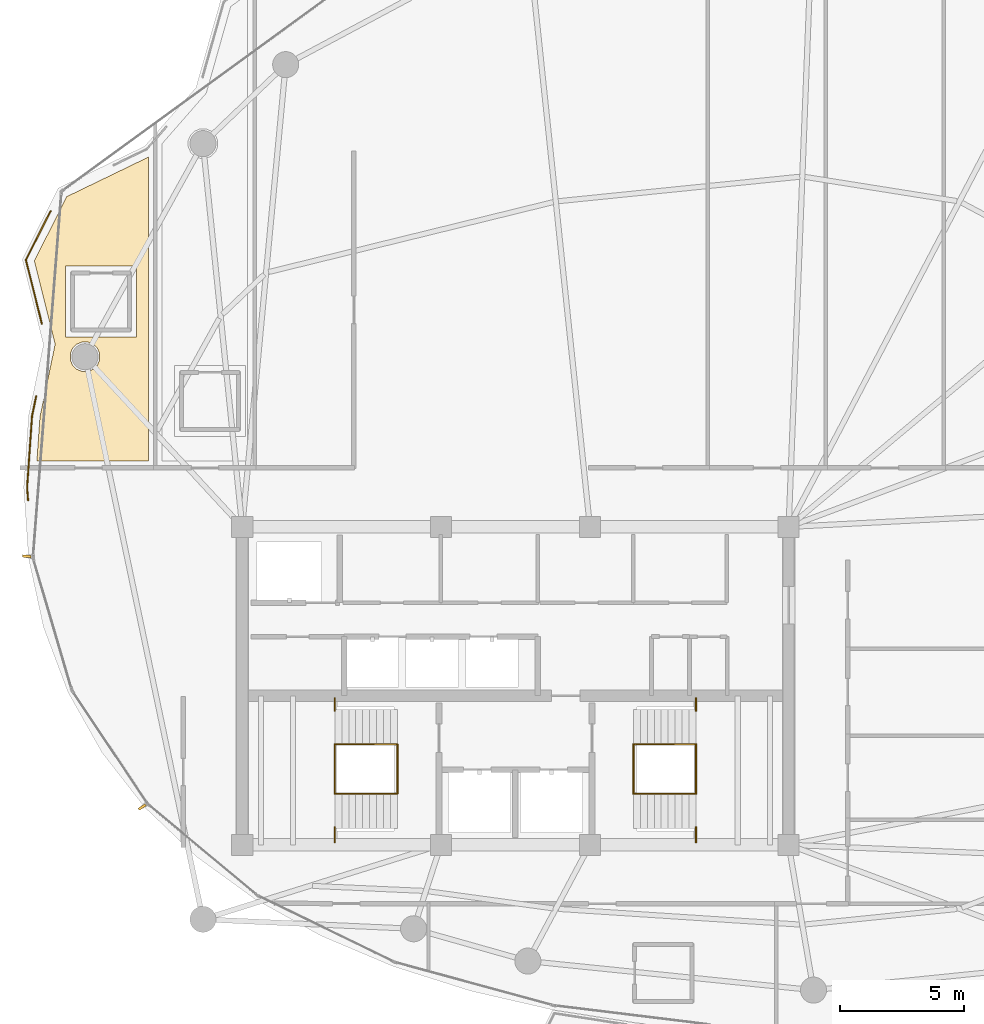
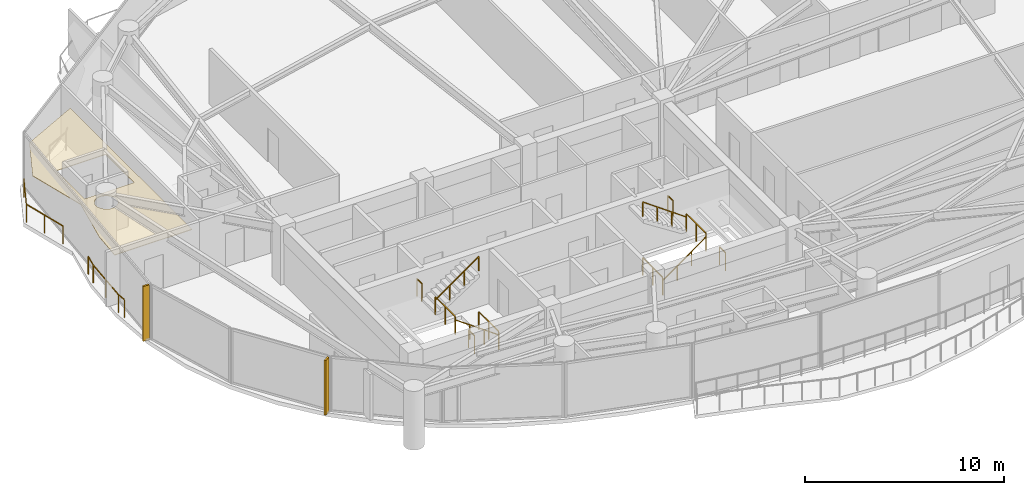
# One storey, part 29 of 31: 14 railings, 2 shading devices, 1 covering.
"""IFC4 building model written with IfcOpenShell, lengths in metres."""

from ifc_helpers import new_model, si_unit, direction, frame, origin, origin_2d, place, context, subcontext, project, spatial, polyline, rectangle, outline, extrude, material, layer, layer_set, type_object, element, save


model = new_model("IFC4")

# Units and contexts
model_context = context("Model", 3, precision=1e-05, world=origin(), true_north=direction((0.0, 1.0)))
body_context = subcontext(model_context, "Body", "Model", "MODEL_VIEW")
ifc_project = project(units=[si_unit("LENGTHUNIT", "METRE"), si_unit("AREAUNIT", "SQUARE_METRE"), si_unit("VOLUMEUNIT", "CUBIC_METRE"), si_unit("PLANEANGLEUNIT", "RADIAN"), si_unit("MASSUNIT", "GRAM", prefix="KILO")], contexts=[model_context])

# Site, building, storey
site_placement = place(None, origin())
site = spatial("IfcSite", under=ifc_project, at=site_placement, CompositionType="ELEMENT")
building_placement = place(site_placement, origin())
building = spatial("IfcBuilding", under=site, at=building_placement, Name="Kazevale Care Tower and Concert Hall", CompositionType="ELEMENT")
storey_placement = place(building_placement, frame((0.0, 0.0, 206.39990234375)))
storey = spatial("IfcBuildingStorey", under=building, at=storey_placement, Name="L54", CompositionType="ELEMENT", Elevation=206.39990234375)

# Covering
ifc_material_1 = material(Name="Acoustic Plaster and Hinoki Wood", Category="wood")
ifc_layer = layer(ifc_material_1, 0.0400390625)
ifc_layer_set = layer_set([ifc_layer], Name="Acoustic Plaster and Hinoki Wood")
covering_type = type_object("IfcCoveringType", Name="Acoustic Perforated Wood-Gypsum Ceiling", PredefinedType="CEILING", material=ifc_layer_set)
covering_placement = place(storey_placement, frame((0.0, 0.0, 2.710205078125)))
element("IfcCovering", 1, at=covering_placement, inside=storey, type_object=covering_type, Name="clg:L54:1", PredefinedType="CEILING", context=body_context, shape_type="SweptSolid", body=[
    extrude(outline(polyline([(13.632080078125, 47.111083984375), (14.93310546875, 49.694091796875), (18.219970703125, 51.285888671875), (18.219970703125, 39.054931640625), (13.73388671875, 39.054931640625), (13.85693359375, 40.824951171875), (14.468994140625, 43.75), (13.632080078125, 47.111083984375)]), holes=[polyline([(14.887939453125, 46.905029296875), (14.887939453125, 44.044921875), (17.748046875, 44.044921875), (17.748046875, 46.905029296875), (14.887939453125, 46.905029296875)]), polyline([(16.262939453125, 43.367919921875), (16.173095703125, 43.5859375), (16.006103515625, 43.7529296875), (15.7880859375, 43.843017578125), (15.552001953125, 43.843017578125), (15.333984375, 43.7529296875), (15.1669921875, 43.5859375), (15.076904296875, 43.367919921875), (15.076904296875, 43.132080078125), (15.1669921875, 42.9140625), (15.333984375, 42.7470703125), (15.552001953125, 42.656982421875), (15.7880859375, 42.656982421875), (16.006103515625, 42.7470703125), (16.173095703125, 42.9140625), (16.262939453125, 43.132080078125), (16.262939453125, 43.367919921875)])]), origin(), (0.0, 0.0, 1.0), 0.039794921875),
])

# Railings
ifc_material_2 = material(Name="Anodised Bronze Aluminium and Laminated Glass", Category="aluminium")
railing_type_1 = type_object("IfcRailingType", Name="Balcony and Terrace Balustrade 1120", PredefinedType="BALUSTRADE", material=ifc_material_2)
railing_1_placement = place(storey_placement, frame((13.3779296875, 37.467041015625, 0.0)))
element("IfcRailing", 2, at=railing_1_placement, inside=storey, type_object=railing_type_1, Name="rail:L54:perim:1", PredefinedType="BALUSTRADE", context=body_context, shape_type="SweptSolid", body=[
    extrude(rectangle(XDim=0.048095703125, YDim=0.048095703125, at=origin_2d()), frame((0.0, 0.0, 1.09619140625), z_axis=(-0.070824900757, 0.997488763562, 0.0), x_axis=(-0.997488763562, -0.070824900757, 0.0)), (0.0, 0.0, 1.0), 0.5341796875),
    extrude(rectangle(XDim=0.048095703125, YDim=0.048095703125, at=origin_2d()), frame((-0.037841796875, 0.532958984375, 1.09619140625), z_axis=(0.069189590327, 0.997603528758, 0.0), x_axis=(-0.997603528758, 0.069189590327, 0.0)), (0.0, 0.0, 1.0), 2.875732421875),
    extrude(rectangle(XDim=0.048095703125, YDim=0.048095703125, at=origin_2d()), frame((0.1611328125, 3.40185546875, 1.09619140625), z_axis=(0.204489697566, 0.978868716218, 0.0), x_axis=(-0.978868716218, 0.204489697566, 0.0)), (0.0, 0.0, 1.0), 0.801025390625),
    extrude(rectangle(XDim=0.0419921875, YDim=0.0419921875, at=origin_2d()), origin(), (0.0, 0.0, 1.0), 1.072021484375),
    extrude(rectangle(XDim=0.0419921875, YDim=0.0419921875, at=origin_2d()), frame((-0.037841796875, 0.532958984375, 0.0)), (0.0, 0.0, 1.0), 1.072021484375),
    extrude(rectangle(XDim=0.0419921875, YDim=0.0419921875, at=origin_2d()), frame((0.0615234375, 1.96728515625, 0.0)), (0.0, 0.0, 1.0), 1.072021484375),
    extrude(rectangle(XDim=0.0419921875, YDim=0.0419921875, at=origin_2d()), frame((0.1611328125, 3.40185546875, 0.0)), (0.0, 0.0, 1.0), 1.072021484375),
    extrude(rectangle(XDim=0.0419921875, YDim=0.0419921875, at=origin_2d()), frame((0.324951171875, 4.18603515625, 0.0)), (0.0, 0.0, 1.0), 1.072021484375),
])
railing_2_placement = place(storey_placement, frame((13.930908203125, 44.5849609375, 0.0)))
element("IfcRailing", 3, at=railing_2_placement, inside=storey, type_object=railing_type_1, Name="rail:L54:perim:2", PredefinedType="BALUSTRADE", context=body_context, shape_type="SweptSolid", body=[
    extrude(rectangle(XDim=0.048095703125, YDim=0.048095703125, at=origin_2d()), frame((0.0, 0.0, 1.09619140625), z_axis=(-0.241796398664, 0.970327007556, 0.0), x_axis=(-0.970327007556, -0.241796398664, 0.0)), (0.0, 0.0, 1.0), 2.642333984375),
    extrude(rectangle(XDim=0.048095703125, YDim=0.048095703125, at=origin_2d()), frame((-0.638916015625, 2.56396484375, 1.09619140625), z_axis=(0.450269666924, 0.892892617871, 0.0), x_axis=(-0.892892617871, 0.450269666924, 0.0)), (0.0, 0.0, 1.0), 2.202880859375),
    extrude(rectangle(XDim=0.0419921875, YDim=0.0419921875, at=origin_2d()), origin(), (0.0, 0.0, 1.0), 1.072021484375),
    extrude(rectangle(XDim=0.0419921875, YDim=0.0419921875, at=origin_2d()), frame((-0.3193359375, 1.281982421875, 0.0)), (0.0, 0.0, 1.0), 1.072021484375),
    extrude(rectangle(XDim=0.0419921875, YDim=0.0419921875, at=origin_2d()), frame((-0.638916015625, 2.56396484375, 0.0)), (0.0, 0.0, 1.0), 1.072021484375),
    extrude(rectangle(XDim=0.0419921875, YDim=0.0419921875, at=origin_2d()), frame((0.35302734375, 4.531005859375, 0.0)), (0.0, 0.0, 1.0), 1.072021484375),
])
ifc_material_3 = material(Name="Stainless Steel 316", Category="steel")
railing_type_2 = type_object("IfcRailingType", Name="Stair Pitch Handrail 920", PredefinedType="HANDRAIL", material=ifc_material_3)
railing_3_placement = place(storey_placement, frame((28.25, 25.64990234375, 0.0)))
element("IfcRailing", 4, at=railing_3_placement, inside=storey, type_object=railing_type_2, Name="stair:L54:ST1:hr1", PredefinedType="HANDRAIL", context=body_context, shape_type="SweptSolid", body=[
    extrude(rectangle(XDim=0.048095703125, YDim=0.048095703125, at=origin_2d()), frame((0.0, 0.0, 0.89599609375), z_axis=(-0.813728144527, 0.0, 0.581245650998), x_axis=(0.0, -1.0, 0.0)), (0.0, 0.0, 1.0), 3.096923828125),
    extrude(rectangle(XDim=0.0419921875, YDim=0.0419921875, at=origin_2d()), origin(), (0.0, 0.0, 1.0), 0.871826171875),
    extrude(rectangle(XDim=0.0419921875, YDim=0.0419921875, at=origin_2d()), frame((-0.840087890625, 0.0, 0.60009765625)), (0.0, 0.0, 1.0), 0.871826171875),
    extrude(rectangle(XDim=0.0419921875, YDim=0.0419921875, at=origin_2d()), frame((-1.679931640625, 0.0, 1.199951171875)), (0.0, 0.0, 1.0), 0.871826171875),
    extrude(rectangle(XDim=0.0419921875, YDim=0.0419921875, at=origin_2d()), frame((-2.52001953125, 0.0, 1.800048828125)), (0.0, 0.0, 1.0), 0.871826171875),
])
for number, where, name in (
    (5, (25.72998046875, 27.64990234375, 1.800048828125), "stair:L54:ST1:hr2"),
    (6, (37.75, 25.64990234375, 0.0), "stair:L54:ST2:hr1"),
):
    element("IfcRailing", number, at=place(storey_placement, frame(where)), inside=storey, type_object=railing_type_2, Name=name, PredefinedType="HANDRAIL", context=body_context, shape_type="SweptSolid", body=[
        extrude(rectangle(XDim=0.048095703125, YDim=0.048095703125, at=origin_2d()), frame((0.0, 0.0, 0.89599609375), z_axis=(0.813728144527, 0.0, 0.581245650998), x_axis=(0.0, 1.0, 0.0)), (0.0, 0.0, 1.0), 3.096923828125),
        extrude(rectangle(XDim=0.0419921875, YDim=0.0419921875, at=origin_2d()), origin(), (0.0, 0.0, 1.0), 0.871826171875),
        extrude(rectangle(XDim=0.0419921875, YDim=0.0419921875, at=origin_2d()), frame((0.840087890625, 0.0, 0.60009765625)), (0.0, 0.0, 1.0), 0.871826171875),
        extrude(rectangle(XDim=0.0419921875, YDim=0.0419921875, at=origin_2d()), frame((1.679931640625, 0.0, 1.199951171875)), (0.0, 0.0, 1.0), 0.871826171875),
        extrude(rectangle(XDim=0.0419921875, YDim=0.0419921875, at=origin_2d()), frame((2.52001953125, 0.0, 1.800048828125)), (0.0, 0.0, 1.0), 0.871826171875),
    ])
railing_4_placement = place(storey_placement, frame((40.27001953125, 27.64990234375, 1.800048828125)))
element("IfcRailing", 7, at=railing_4_placement, inside=storey, type_object=railing_type_2, Name="stair:L54:ST2:hr2", PredefinedType="HANDRAIL", context=body_context, shape_type="SweptSolid", body=[
    extrude(rectangle(XDim=0.048095703125, YDim=0.048095703125, at=origin_2d()), frame((0.0, 0.0, 0.89599609375), z_axis=(-0.813728144527, 0.0, 0.581245650998), x_axis=(0.0, -1.0, 0.0)), (0.0, 0.0, 1.0), 3.096923828125),
    extrude(rectangle(XDim=0.0419921875, YDim=0.0419921875, at=origin_2d()), origin(), (0.0, 0.0, 1.0), 0.871826171875),
    extrude(rectangle(XDim=0.0419921875, YDim=0.0419921875, at=origin_2d()), frame((-0.840087890625, 0.0, 0.60009765625)), (0.0, 0.0, 1.0), 0.871826171875),
    extrude(rectangle(XDim=0.0419921875, YDim=0.0419921875, at=origin_2d()), frame((-1.679931640625, 0.0, 1.199951171875)), (0.0, 0.0, 1.0), 0.871826171875),
    extrude(rectangle(XDim=0.0419921875, YDim=0.0419921875, at=origin_2d()), frame((-2.52001953125, 0.0, 1.800048828125)), (0.0, 0.0, 1.0), 0.871826171875),
])
railing_type_3 = type_object("IfcRailingType", Name="Stair Well Guard Balustrade 1120", PredefinedType="BALUSTRADE", material=ifc_material_3)
railing_5_placement = place(storey_placement, frame((25.72998046875, 23.699951171875, 1.800048828125)))
element("IfcRailing", 8, at=railing_5_placement, inside=storey, type_object=railing_type_3, Name="stair:L54:ST1:grd_side1", PredefinedType="BALUSTRADE", context=body_context, shape_type="SweptSolid", body=[
    extrude(rectangle(XDim=0.048095703125, YDim=0.048095703125, at=origin_2d()), frame((0.0, 0.0, 1.09619140625), z_axis=(0.0, 1.0, 0.0), x_axis=(-1.0, 0.0, 0.0)), (0.0, 0.0, 1.0), 0.610107421875),
    extrude(rectangle(XDim=0.0419921875, YDim=0.0419921875, at=origin_2d()), origin(), (0.0, 0.0, 1.0), 1.072021484375),
    extrude(rectangle(XDim=0.0419921875, YDim=0.0419921875, at=origin_2d()), frame((0.0, 0.610107421875, 0.0)), (0.0, 0.0, 1.0), 1.072021484375),
])
railing_6_placement = place(storey_placement, frame((25.72998046875, 28.989990234375, 1.800048828125)))
element("IfcRailing", 9, at=railing_6_placement, inside=storey, type_object=railing_type_3, Name="stair:L54:ST1:grd_side2", PredefinedType="BALUSTRADE", context=body_context, shape_type="SweptSolid", body=[
    extrude(rectangle(XDim=0.048095703125, YDim=0.048095703125, at=origin_2d()), frame((0.0, 0.0, 1.09619140625), z_axis=(0.0, 1.0, 0.0), x_axis=(-1.0, 0.0, 0.0)), (0.0, 0.0, 1.0), 0.510009765625),
    extrude(rectangle(XDim=0.0419921875, YDim=0.0419921875, at=origin_2d()), origin(), (0.0, 0.0, 1.0), 1.072021484375),
    extrude(rectangle(XDim=0.0419921875, YDim=0.0419921875, at=origin_2d()), frame((0.0, 0.510009765625, 0.0)), (0.0, 0.0, 1.0), 1.072021484375),
])
for number, where, name in (
    (10, (25.72998046875, 25.64990234375, 1.800048828125), "stair:L54:ST1:grd_mid"),
    (11, (28.25, 25.64990234375, 0.0), "stair:L54:ST1:grd_flr"),
):
    element("IfcRailing", number, at=place(storey_placement, frame(where)), inside=storey, type_object=railing_type_3, Name=name, PredefinedType="BALUSTRADE", context=body_context, shape_type="SweptSolid", body=[
        extrude(rectangle(XDim=0.048095703125, YDim=0.048095703125, at=origin_2d()), frame((0.0, 0.0, 1.09619140625), z_axis=(0.0, 1.0, 0.0), x_axis=(-1.0, 0.0, 0.0)), (0.0, 0.0, 1.0), 2.0),
        extrude(rectangle(XDim=0.0419921875, YDim=0.0419921875, at=origin_2d()), origin(), (0.0, 0.0, 1.0), 1.072021484375),
        extrude(rectangle(XDim=0.0419921875, YDim=0.0419921875, at=origin_2d()), frame((0.0, 1.0, 0.0)), (0.0, 0.0, 1.0), 1.072021484375),
        extrude(rectangle(XDim=0.0419921875, YDim=0.0419921875, at=origin_2d()), frame((0.0, 2.0, 0.0)), (0.0, 0.0, 1.0), 1.072021484375),
    ])
railing_7_placement = place(storey_placement, frame((40.27001953125, 23.699951171875, 1.800048828125)))
element("IfcRailing", 12, at=railing_7_placement, inside=storey, type_object=railing_type_3, Name="stair:L54:ST2:grd_side1", PredefinedType="BALUSTRADE", context=body_context, shape_type="SweptSolid", body=[
    extrude(rectangle(XDim=0.048095703125, YDim=0.048095703125, at=origin_2d()), frame((0.0, 0.0, 1.09619140625), z_axis=(0.0, 1.0, 0.0), x_axis=(-1.0, 0.0, 0.0)), (0.0, 0.0, 1.0), 0.610107421875),
    extrude(rectangle(XDim=0.0419921875, YDim=0.0419921875, at=origin_2d()), origin(), (0.0, 0.0, 1.0), 1.072021484375),
    extrude(rectangle(XDim=0.0419921875, YDim=0.0419921875, at=origin_2d()), frame((0.0, 0.610107421875, 0.0)), (0.0, 0.0, 1.0), 1.072021484375),
])
railing_8_placement = place(storey_placement, frame((40.27001953125, 28.989990234375, 1.800048828125)))
element("IfcRailing", 13, at=railing_8_placement, inside=storey, type_object=railing_type_3, Name="stair:L54:ST2:grd_side2", PredefinedType="BALUSTRADE", context=body_context, shape_type="SweptSolid", body=[
    extrude(rectangle(XDim=0.048095703125, YDim=0.048095703125, at=origin_2d()), frame((0.0, 0.0, 1.09619140625), z_axis=(0.0, 1.0, 0.0), x_axis=(-1.0, 0.0, 0.0)), (0.0, 0.0, 1.0), 0.510009765625),
    extrude(rectangle(XDim=0.0419921875, YDim=0.0419921875, at=origin_2d()), origin(), (0.0, 0.0, 1.0), 1.072021484375),
    extrude(rectangle(XDim=0.0419921875, YDim=0.0419921875, at=origin_2d()), frame((0.0, 0.510009765625, 0.0)), (0.0, 0.0, 1.0), 1.072021484375),
])
for number, where, name in (
    (14, (40.27001953125, 25.64990234375, 1.800048828125), "stair:L54:ST2:grd_mid"),
    (15, (37.75, 25.64990234375, 0.0), "stair:L54:ST2:grd_flr"),
):
    element("IfcRailing", number, at=place(storey_placement, frame(where)), inside=storey, type_object=railing_type_3, Name=name, PredefinedType="BALUSTRADE", context=body_context, shape_type="SweptSolid", body=[
        extrude(rectangle(XDim=0.048095703125, YDim=0.048095703125, at=origin_2d()), frame((0.0, 0.0, 1.09619140625), z_axis=(0.0, 1.0, 0.0), x_axis=(-1.0, 0.0, 0.0)), (0.0, 0.0, 1.0), 2.0),
        extrude(rectangle(XDim=0.0419921875, YDim=0.0419921875, at=origin_2d()), origin(), (0.0, 0.0, 1.0), 1.072021484375),
        extrude(rectangle(XDim=0.0419921875, YDim=0.0419921875, at=origin_2d()), frame((0.0, 1.0, 0.0)), (0.0, 0.0, 1.0), 1.072021484375),
        extrude(rectangle(XDim=0.0419921875, YDim=0.0419921875, at=origin_2d()), frame((0.0, 2.0, 0.0)), (0.0, 0.0, 1.0), 1.072021484375),
    ])

# Shading devices
ifc_material_4 = material(Name="Anodised Bronze Aluminium", Category="aluminium")
shading_device_type = type_object("IfcShadingDeviceType", Name="Waist Anodised Bronze-Stone Fin FIN-02", PredefinedType="USERDEFINED", material=ifc_material_4)
for number, where, z_axis, x_axis, name in (
    (16, (17.972900390625, 25.121337890625, 0.0), (0.0, 0.0, 1.0), (-0.832147748683, -0.554553986878, 0.0), "cw:L54:f11:fin"),
    (17, (13.326904296875, 35.216796875, 0.0), (0.0, 0.0, 1.0), (-0.996985422604, 0.077589091471, 0.0), "cw:L54:f13:fin"),
):
    element("IfcShadingDevice", number, at=place(storey_placement, frame(where, z_axis=z_axis, x_axis=x_axis)), inside=storey, type_object=shading_device_type, Name=name, ObjectType="FIN", PredefinedType="USERDEFINED", context=body_context, shape_type="SweptSolid", body=[
        extrude(rectangle(XDim=0.340087890625, YDim=0.10009765625, at=origin_2d()), origin(), (0.0, 0.0, 1.0), 3.360107421875),
    ])

save(model, "model.ifc")
